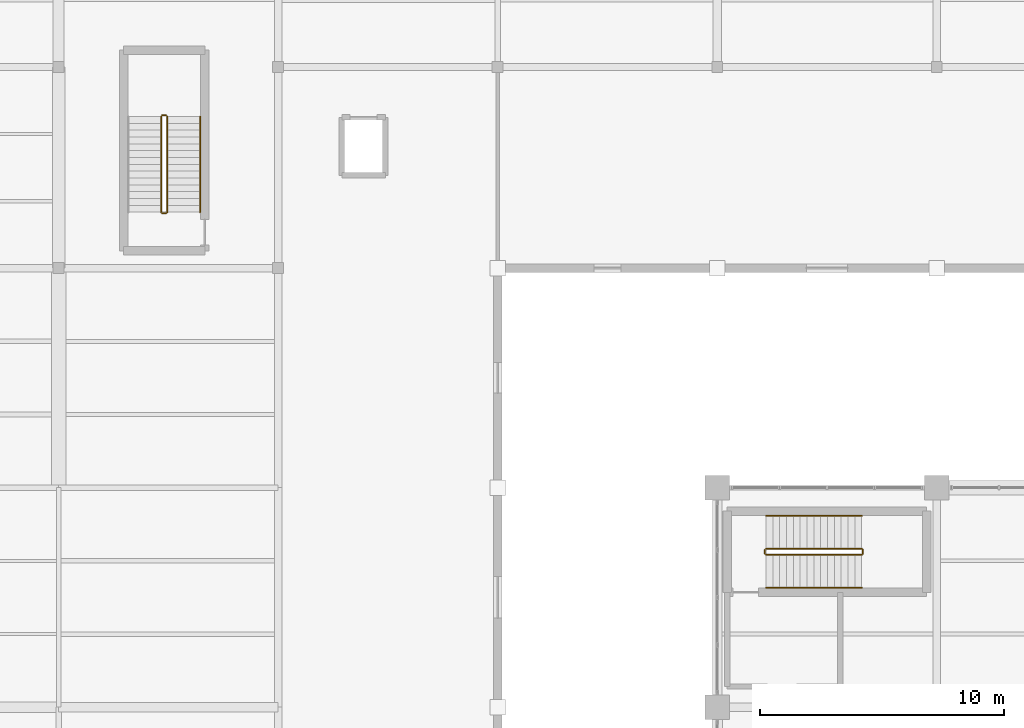
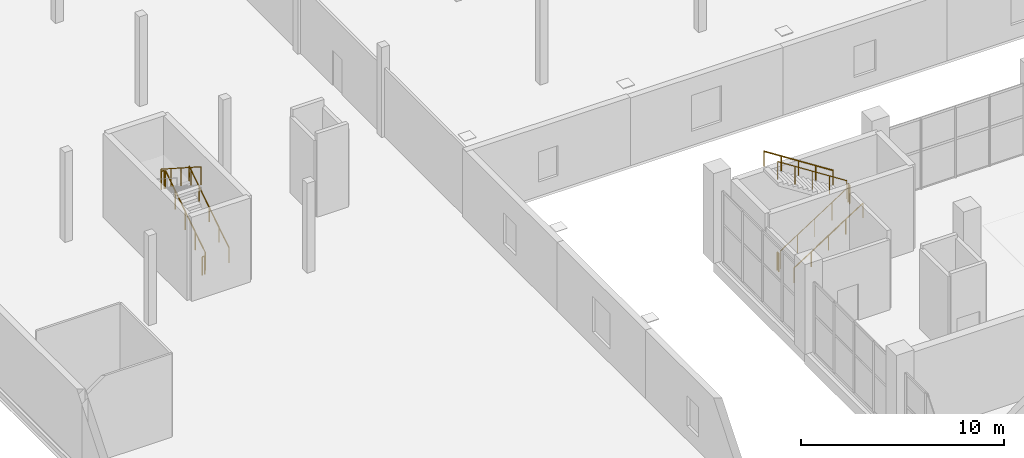
# One storey, part 143 of 147: 11 railings.
"""IFC4 building model written with IfcOpenShell, lengths in metres."""

from ifc_helpers import new_model, si_unit, direction, frame, origin, origin_2d, place, context, subcontext, project, spatial, circle, extrude, material, type_object, element, save


model = new_model("IFC4")

# Units and contexts
model_context = context("Model", 3, precision=1e-05, world=origin(), true_north=direction((0.0, 1.0)))
body_context = subcontext(model_context, "Body", "Model", "MODEL_VIEW")
ifc_project = project(units=[si_unit("LENGTHUNIT", "METRE"), si_unit("AREAUNIT", "SQUARE_METRE"), si_unit("VOLUMEUNIT", "CUBIC_METRE"), si_unit("PLANEANGLEUNIT", "RADIAN"), si_unit("MASSUNIT", "GRAM", prefix="KILO")], contexts=[model_context])

# Site, building, storey
site_placement = place(None, origin())
site = spatial("IfcSite", under=ifc_project, at=site_placement, CompositionType="ELEMENT")
building_placement = place(site_placement, origin())
building = spatial("IfcBuilding", under=site, at=building_placement, Name="Sundgate Opera House", CompositionType="ELEMENT")
storey_placement = place(building_placement, frame((0.0, 0.0, 6.0)))
storey = spatial("IfcBuildingStorey", under=building, at=storey_placement, Name="L01", CompositionType="ELEMENT", Elevation=6.0)

# Railings
ifc_material_1 = material(Name="Painted steel S275 guardrail", Category="steel")
railing_type_1 = type_object("IfcRailingType", Name="RL-STAIR-GUARD-1100", PredefinedType="GUARDRAIL", material=ifc_material_1)
railing_1_placement = place(storey_placement, frame((38.0, 75.25, 0.179931640625)))
element("IfcRailing", 1, at=railing_1_placement, inside=storey, type_object=railing_type_1, Name="ST02L01 Guardrail RL0059", PredefinedType="GUARDRAIL", context=body_context, shape_type="SweptSolid", body=[
    extrude(circle(Radius=0.02392578125, at=origin_2d()), frame((0.0, 0.0, 1.076171875), z_axis=(0.841171666519, 0.0, 0.540768182723), x_axis=(0.0, 1.0, 0.0)), (0.0, 0.0, 1.0), 4.66015625),
    extrude(circle(Radius=0.02099609375, at=origin_2d()), origin(), (0.0, 0.0, 1.0), 1.052001953125),
    extrude(circle(Radius=0.02099609375, at=origin_2d()), frame((0.97998046875, 0.0, 0.6298828125)), (0.0, 0.0, 1.0), 1.052001953125),
    extrude(circle(Radius=0.02099609375, at=origin_2d()), frame((1.9599609375, 0.0, 1.260009765625)), (0.0, 0.0, 1.0), 1.052001953125),
    extrude(circle(Radius=0.02099609375, at=origin_2d()), frame((2.93994140625, 0.0, 1.89013671875)), (0.0, 0.0, 1.0), 1.052001953125),
    extrude(circle(Radius=0.02099609375, at=origin_2d()), frame((3.919921875, 0.0, 2.52001953125)), (0.0, 0.0, 1.0), 1.052001953125),
])
railing_2_placement = place(storey_placement, frame((41.969970703125, 75.300048828125, 2.699951171875)))
element("IfcRailing", 2, at=railing_2_placement, inside=storey, type_object=railing_type_1, Name="ST02L01 Guardrail RL0060", PredefinedType="GUARDRAIL", context=body_context, shape_type="SweptSolid", body=[
    extrude(circle(Radius=0.02392578125, at=origin_2d()), frame((0.0, 0.0, 1.076171875), z_axis=(0.0, 1.0, 0.0), x_axis=(-1.0, 0.0, 0.0)), (0.0, 0.0, 1.0), 0.14990234375),
    extrude(circle(Radius=0.02099609375, at=origin_2d()), origin(), (0.0, 0.0, 1.0), 1.052001953125),
    extrude(circle(Radius=0.02099609375, at=origin_2d()), frame((0.0, 0.14990234375, 0.0)), (0.0, 0.0, 1.0), 1.052001953125),
])
railing_3_placement = place(storey_placement, frame((41.919921875, 75.5, 2.8798828125)))
element("IfcRailing", 3, at=railing_3_placement, inside=storey, type_object=railing_type_1, Name="ST02L01 Guardrail RL0061", PredefinedType="GUARDRAIL", context=body_context, shape_type="SweptSolid", body=[
    extrude(circle(Radius=0.02392578125, at=origin_2d()), frame((0.0, 0.0, 1.076171875), z_axis=(-0.841171666519, 0.0, 0.540768182723), x_axis=(0.0, -1.0, 0.0)), (0.0, 0.0, 1.0), 4.66015625),
    extrude(circle(Radius=0.02099609375, at=origin_2d()), origin(), (0.0, 0.0, 1.0), 1.052001953125),
    extrude(circle(Radius=0.02099609375, at=origin_2d()), frame((-0.97998046875, 0.0, 0.6298828125)), (0.0, 0.0, 1.0), 1.052001953125),
    extrude(circle(Radius=0.02099609375, at=origin_2d()), frame((-1.9599609375, 0.0, 1.260009765625)), (0.0, 0.0, 1.0), 1.052001953125),
    extrude(circle(Radius=0.02099609375, at=origin_2d()), frame((-2.93994140625, 0.0, 1.89013671875)), (0.0, 0.0, 1.0), 1.052001953125),
    extrude(circle(Radius=0.02099609375, at=origin_2d()), frame((-3.919921875, 0.0, 2.52001953125)), (0.0, 0.0, 1.0), 1.052001953125),
])
railing_4_placement = place(storey_placement, frame((37.949951171875, 75.300048828125, 0.0)))
element("IfcRailing", 4, at=railing_4_placement, inside=storey, type_object=railing_type_1, Name="ST02L01 Guardrail RL0062", PredefinedType="GUARDRAIL", context=body_context, shape_type="SweptSolid", body=[
    extrude(circle(Radius=0.02392578125, at=origin_2d()), frame((0.0, 0.0, 1.076171875), z_axis=(0.0, 1.0, 0.0), x_axis=(-1.0, 0.0, 0.0)), (0.0, 0.0, 1.0), 0.14990234375),
    extrude(circle(Radius=0.02099609375, at=origin_2d()), origin(), (0.0, 0.0, 1.0), 1.052001953125),
    extrude(circle(Radius=0.02099609375, at=origin_2d()), frame((0.0, 0.14990234375, 0.0)), (0.0, 0.0, 1.0), 1.052001953125),
])
railing_5_placement = place(storey_placement, frame((13.449951171875, 89.300048828125, 0.179931640625)))
element("IfcRailing", 5, at=railing_5_placement, inside=storey, type_object=railing_type_1, Name="ST08L01 Guardrail RL0263", PredefinedType="GUARDRAIL", context=body_context, shape_type="SweptSolid", body=[
    extrude(circle(Radius=0.02392578125, at=origin_2d()), frame((0.0, 0.0, 1.076171875), z_axis=(0.0, 0.841171666519, 0.540768182723), x_axis=(-1.0, 0.0, 0.0)), (0.0, 0.0, 1.0), 4.66015625),
    extrude(circle(Radius=0.02099609375, at=origin_2d()), origin(), (0.0, 0.0, 1.0), 1.052001953125),
    extrude(circle(Radius=0.02099609375, at=origin_2d()), frame((0.0, 0.97998046875, 0.6298828125)), (0.0, 0.0, 1.0), 1.052001953125),
    extrude(circle(Radius=0.02099609375, at=origin_2d()), frame((0.0, 1.9599609375, 1.260009765625)), (0.0, 0.0, 1.0), 1.052001953125),
    extrude(circle(Radius=0.02099609375, at=origin_2d()), frame((0.0, 2.93994140625, 1.89013671875)), (0.0, 0.0, 1.0), 1.052001953125),
    extrude(circle(Radius=0.02099609375, at=origin_2d()), frame((0.0, 3.919921875, 2.52001953125)), (0.0, 0.0, 1.0), 1.052001953125),
])
railing_6_placement = place(storey_placement, frame((13.39990234375, 93.27001953125, 2.699951171875)))
element("IfcRailing", 6, at=railing_6_placement, inside=storey, type_object=railing_type_1, Name="ST08L01 Guardrail RL0264", PredefinedType="GUARDRAIL", context=body_context, shape_type="SweptSolid", body=[
    extrude(circle(Radius=0.02392578125, at=origin_2d()), frame((0.0, 0.0, 1.076171875), z_axis=(-1.0, 0.0, 0.0), x_axis=(0.0, -1.0, 0.0)), (0.0, 0.0, 1.0), 0.14990234375),
    extrude(circle(Radius=0.02099609375, at=origin_2d()), origin(), (0.0, 0.0, 1.0), 1.052001953125),
    extrude(circle(Radius=0.02099609375, at=origin_2d()), frame((-0.14990234375, 0.0, 0.0)), (0.0, 0.0, 1.0), 1.052001953125),
])
railing_7_placement = place(storey_placement, frame((13.199951171875, 93.219970703125, 2.8798828125)))
element("IfcRailing", 7, at=railing_7_placement, inside=storey, type_object=railing_type_1, Name="ST08L01 Guardrail RL0265", PredefinedType="GUARDRAIL", context=body_context, shape_type="SweptSolid", body=[
    extrude(circle(Radius=0.02392578125, at=origin_2d()), frame((0.0, 0.0, 1.076171875), z_axis=(0.0, -0.841171666519, 0.540768182723), x_axis=(1.0, 0.0, 0.0)), (0.0, 0.0, 1.0), 4.66015625),
    extrude(circle(Radius=0.02099609375, at=origin_2d()), origin(), (0.0, 0.0, 1.0), 1.052001953125),
    extrude(circle(Radius=0.02099609375, at=origin_2d()), frame((0.0, -0.97998046875, 0.6298828125)), (0.0, 0.0, 1.0), 1.052001953125),
    extrude(circle(Radius=0.02099609375, at=origin_2d()), frame((0.0, -1.9599609375, 1.260009765625)), (0.0, 0.0, 1.0), 1.052001953125),
    extrude(circle(Radius=0.02099609375, at=origin_2d()), frame((0.0, -2.93994140625, 1.89013671875)), (0.0, 0.0, 1.0), 1.052001953125),
    extrude(circle(Radius=0.02099609375, at=origin_2d()), frame((0.0, -3.919921875, 2.52001953125)), (0.0, 0.0, 1.0), 1.052001953125),
])
railing_8_placement = place(storey_placement, frame((13.39990234375, 89.25, 0.0)))
element("IfcRailing", 8, at=railing_8_placement, inside=storey, type_object=railing_type_1, Name="ST08L01 Guardrail RL0266", PredefinedType="GUARDRAIL", context=body_context, shape_type="SweptSolid", body=[
    extrude(circle(Radius=0.02392578125, at=origin_2d()), frame((0.0, 0.0, 1.076171875), z_axis=(-1.0, 0.0, 0.0), x_axis=(0.0, -1.0, 0.0)), (0.0, 0.0, 1.0), 0.14990234375),
    extrude(circle(Radius=0.02099609375, at=origin_2d()), origin(), (0.0, 0.0, 1.0), 1.052001953125),
    extrude(circle(Radius=0.02099609375, at=origin_2d()), frame((-0.14990234375, 0.0, 0.0)), (0.0, 0.0, 1.0), 1.052001953125),
])
ifc_material_2 = material(Name="Brushed stainless steel handrail", Category="steel")
railing_type_2 = type_object("IfcRailingType", Name="RL-STAIR-HAND-900", PredefinedType="HANDRAIL", material=ifc_material_2)
railing_9_placement = place(storey_placement, frame((38.0, 73.89990234375, 0.179931640625)))
element("IfcRailing", 9, at=railing_9_placement, inside=storey, type_object=railing_type_2, Name="ST02L01 Handrail RL0063", PredefinedType="HANDRAIL", context=body_context, shape_type="SweptSolid", body=[
    extrude(circle(Radius=0.02392578125, at=origin_2d()), frame((0.0, 0.0, 0.8759765625), z_axis=(0.841171666519, 0.0, 0.540768182723), x_axis=(0.0, 1.0, 0.0)), (0.0, 0.0, 1.0), 4.66015625),
    extrude(circle(Radius=0.02099609375, at=origin_2d()), origin(), (0.0, 0.0, 1.0), 0.851806640625),
    extrude(circle(Radius=0.02099609375, at=origin_2d()), frame((0.97998046875, 0.0, 0.6298828125)), (0.0, 0.0, 1.0), 0.851806640625),
    extrude(circle(Radius=0.02099609375, at=origin_2d()), frame((1.9599609375, 0.0, 1.260009765625)), (0.0, 0.0, 1.0), 0.851806640625),
    extrude(circle(Radius=0.02099609375, at=origin_2d()), frame((2.93994140625, 0.0, 1.89013671875)), (0.0, 0.0, 1.0), 0.851806640625),
    extrude(circle(Radius=0.02099609375, at=origin_2d()), frame((3.919921875, 0.0, 2.52001953125)), (0.0, 0.0, 1.0), 0.851806640625),
])
railing_10_placement = place(storey_placement, frame((41.919921875, 76.85009765625, 2.8798828125)))
element("IfcRailing", 10, at=railing_10_placement, inside=storey, type_object=railing_type_2, Name="ST02L01 Handrail RL0064", PredefinedType="HANDRAIL", context=body_context, shape_type="SweptSolid", body=[
    extrude(circle(Radius=0.02392578125, at=origin_2d()), frame((0.0, 0.0, 0.8759765625), z_axis=(-0.841171666519, 0.0, 0.540768182723), x_axis=(0.0, -1.0, 0.0)), (0.0, 0.0, 1.0), 4.66015625),
    extrude(circle(Radius=0.02099609375, at=origin_2d()), origin(), (0.0, 0.0, 1.0), 0.851806640625),
    extrude(circle(Radius=0.02099609375, at=origin_2d()), frame((-0.97998046875, 0.0, 0.6298828125)), (0.0, 0.0, 1.0), 0.851806640625),
    extrude(circle(Radius=0.02099609375, at=origin_2d()), frame((-1.9599609375, 0.0, 1.260009765625)), (0.0, 0.0, 1.0), 0.851806640625),
    extrude(circle(Radius=0.02099609375, at=origin_2d()), frame((-2.93994140625, 0.0, 1.89013671875)), (0.0, 0.0, 1.0), 0.851806640625),
    extrude(circle(Radius=0.02099609375, at=origin_2d()), frame((-3.919921875, 0.0, 2.52001953125)), (0.0, 0.0, 1.0), 0.851806640625),
])
railing_11_placement = place(storey_placement, frame((14.800048828125, 89.300048828125, 0.179931640625)))
element("IfcRailing", 11, at=railing_11_placement, inside=storey, type_object=railing_type_2, Name="ST08L01 Handrail RL0267", PredefinedType="HANDRAIL", context=body_context, shape_type="SweptSolid", body=[
    extrude(circle(Radius=0.02392578125, at=origin_2d()), frame((0.0, 0.0, 0.8759765625), z_axis=(0.0, 0.841171666519, 0.540768182723), x_axis=(-1.0, 0.0, 0.0)), (0.0, 0.0, 1.0), 4.66015625),
    extrude(circle(Radius=0.02099609375, at=origin_2d()), origin(), (0.0, 0.0, 1.0), 0.851806640625),
    extrude(circle(Radius=0.02099609375, at=origin_2d()), frame((0.0, 0.97998046875, 0.6298828125)), (0.0, 0.0, 1.0), 0.851806640625),
    extrude(circle(Radius=0.02099609375, at=origin_2d()), frame((0.0, 1.9599609375, 1.260009765625)), (0.0, 0.0, 1.0), 0.851806640625),
    extrude(circle(Radius=0.02099609375, at=origin_2d()), frame((0.0, 2.93994140625, 1.89013671875)), (0.0, 0.0, 1.0), 0.851806640625),
    extrude(circle(Radius=0.02099609375, at=origin_2d()), frame((0.0, 3.919921875, 2.52001953125)), (0.0, 0.0, 1.0), 0.851806640625),
])

save(model, "model.ifc")
